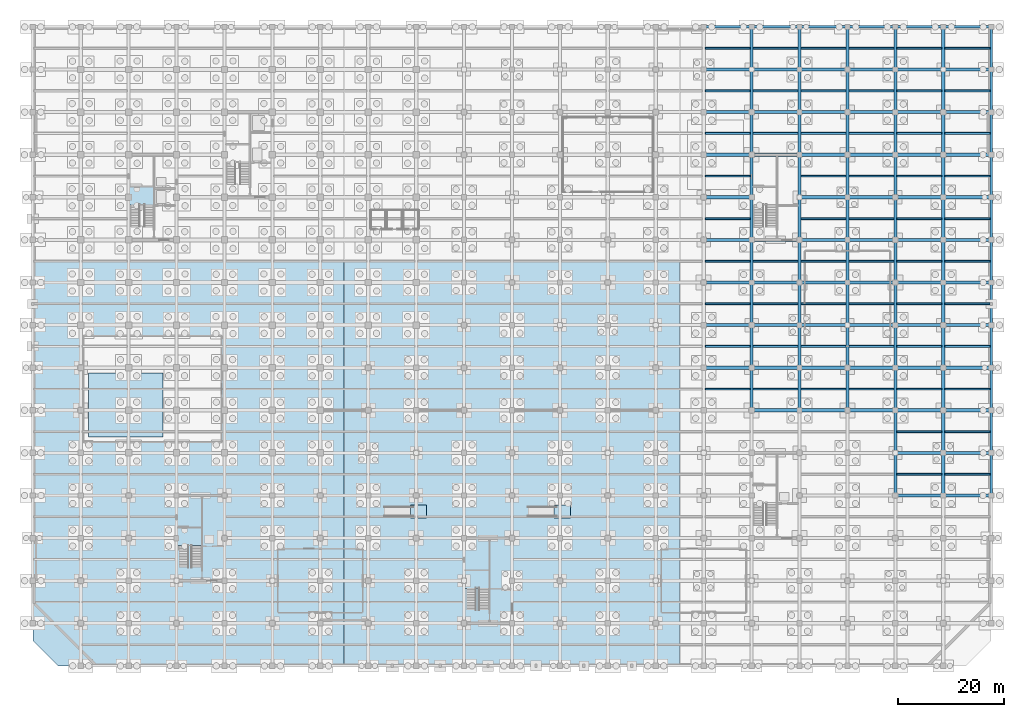
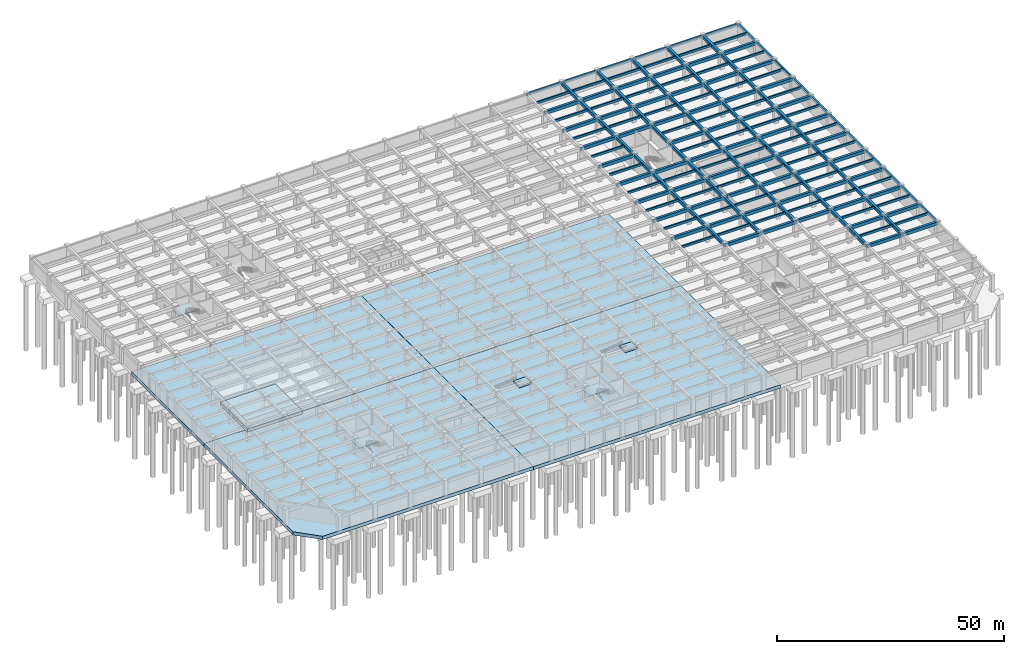
# One storey, part 15 of 31: 178 beams, 10 slabs, 5 elements without a shape of their own.
"""IFC4 building model written with IfcOpenShell, lengths in metres."""

from ifc_helpers import new_model, si_unit, direction, frame, origin, origin_2d, place, context, subcontext, project, spatial, polyline, rectangle, outline, extrude, material, layer, layer_set, material_profile, profile_set, type_object, element, aggregate, save


model = new_model("IFC4")

# Units and contexts
model_context = context("Model", 3, precision=1e-05, world=origin(), true_north=direction((0.0, 1.0)))
body_context = subcontext(model_context, "Body", "Model", "MODEL_VIEW")
ifc_project = project(units=[si_unit("LENGTHUNIT", "METRE"), si_unit("AREAUNIT", "SQUARE_METRE"), si_unit("VOLUMEUNIT", "CUBIC_METRE"), si_unit("PLANEANGLEUNIT", "RADIAN"), si_unit("MASSUNIT", "GRAM", prefix="KILO")], contexts=[model_context])

# Site, building, storey
site_placement = place(None, origin())
site = spatial("IfcSite", under=ifc_project, at=site_placement, CompositionType="ELEMENT")
building_placement = place(site_placement, origin())
building = spatial("IfcBuilding", under=site, at=building_placement, Name="Zaverband Oceanarium and Marine Research Institute", CompositionType="ELEMENT")
storey_placement = place(building_placement, frame((0.0, 0.0, -9.0)))
storey = spatial("IfcBuildingStorey", under=building, at=storey_placement, Name="B2", CompositionType="ELEMENT", Elevation=-9.0)

# Beams
ifc_material_1 = material(Name="Concrete C40/50", Category="concrete")
ifc_material_profile_1 = material_profile(ifc_material_1, rectangle(XDim=0.60009765625, YDim=0.85009765625, at=origin_2d()), Name="RC600x850")
ifc_profile_set_1 = profile_set([ifc_material_profile_1], Name="Concrete C40/50")
beam_type_1 = type_object("IfcBeamType", Name="BM-600x850", PredefinedType="BEAM", material=ifc_profile_set_1)
for number, where, z_axis, x_axis, name in (
    (1, (162.0, 32.0, 3.77490234375), (1.0, 0.0, 0.0), (0.0, 1.0, 0.0), "Primary floor girder BM-600x850"),
    (2, (171.0, 32.0, 3.77490234375), (1.0, 0.0, 0.0), (0.0, 1.0, 0.0), "Primary floor girder BM-600x850"),
    (3, (162.0, 40.0, 3.77490234375), (1.0, 0.0, 0.0), (0.0, 1.0, 0.0), "Primary floor girder BM-600x850"),
    (4, (171.0, 40.0, 3.77490234375), (1.0, 0.0, 0.0), (0.0, 1.0, 0.0), "Primary floor girder BM-600x850"),
    (5, (135.0, 48.0, 3.77490234375), (1.0, 0.0, 0.0), (0.0, 1.0, 0.0), "Primary floor girder BM-600x850"),
    (6, (144.0, 48.0, 3.77490234375), (1.0, 0.0, 0.0), (0.0, 1.0, 0.0), "Primary floor girder BM-600x850"),
    (7, (153.0, 48.0, 3.77490234375), (1.0, 0.0, 0.0), (0.0, 1.0, 0.0), "Primary floor girder BM-600x850"),
    (8, (162.0, 48.0, 3.77490234375), (1.0, 0.0, 0.0), (0.0, 1.0, 0.0), "Primary floor girder BM-600x850"),
    (9, (171.0, 48.0, 3.77490234375), (1.0, 0.0, 0.0), (0.0, 1.0, 0.0), "Primary floor girder BM-600x850"),
    (10, (126.0, 56.0, 3.77490234375), (1.0, 0.0, 0.0), (0.0, 1.0, 0.0), "Primary floor girder BM-600x850"),
    (11, (135.0, 56.0, 3.77490234375), (1.0, 0.0, 0.0), (0.0, 1.0, 0.0), "Primary floor girder BM-600x850"),
    (12, (144.0, 56.0, 3.77490234375), (1.0, 0.0, 0.0), (0.0, 1.0, 0.0), "Primary floor girder BM-600x850"),
    (13, (153.0, 56.0, 3.77490234375), (1.0, 0.0, 0.0), (0.0, 1.0, 0.0), "Primary floor girder BM-600x850"),
    (14, (162.0, 56.0, 3.77490234375), (1.0, 0.0, 0.0), (0.0, 1.0, 0.0), "Primary floor girder BM-600x850"),
    (15, (171.0, 56.0, 3.77490234375), (1.0, 0.0, 0.0), (0.0, 1.0, 0.0), "Primary floor girder BM-600x850"),
    (16, (126.0, 64.0, 3.77490234375), (1.0, 0.0, 0.0), (0.0, 1.0, 0.0), "Primary floor girder BM-600x850"),
    (17, (135.0, 64.0, 3.77490234375), (1.0, 0.0, 0.0), (0.0, 1.0, 0.0), "Primary floor girder BM-600x850"),
    (18, (144.0, 64.0, 3.77490234375), (1.0, 0.0, 0.0), (0.0, 1.0, 0.0), "Primary floor girder BM-600x850"),
    (19, (153.0, 64.0, 3.77490234375), (1.0, 0.0, 0.0), (0.0, 1.0, 0.0), "Primary floor girder BM-600x850"),
    (20, (162.0, 64.0, 3.77490234375), (1.0, 0.0, 0.0), (0.0, 1.0, 0.0), "Primary floor girder BM-600x850"),
    (21, (171.0, 64.0, 3.77490234375), (1.0, 0.0, 0.0), (0.0, 1.0, 0.0), "Primary floor girder BM-600x850"),
    (22, (126.0, 72.0, 3.77490234375), (1.0, 0.0, 0.0), (0.0, 1.0, 0.0), "Primary floor girder BM-600x850"),
    (23, (135.0, 72.0, 3.77490234375), (1.0, 0.0, 0.0), (0.0, 1.0, 0.0), "Primary floor girder BM-600x850"),
    (24, (144.0, 72.0, 3.77490234375), (1.0, 0.0, 0.0), (0.0, 1.0, 0.0), "Primary floor girder BM-600x850"),
    (25, (153.0, 72.0, 3.77490234375), (1.0, 0.0, 0.0), (0.0, 1.0, 0.0), "Primary floor girder BM-600x850"),
    (26, (162.0, 72.0, 3.77490234375), (1.0, 0.0, 0.0), (0.0, 1.0, 0.0), "Primary floor girder BM-600x850"),
    (27, (171.0, 72.0, 3.77490234375), (1.0, 0.0, 0.0), (0.0, 1.0, 0.0), "Primary floor girder BM-600x850"),
    (28, (126.0, 80.0, 3.77490234375), (1.0, 0.0, 0.0), (0.0, 1.0, 0.0), "Primary floor girder BM-600x850"),
    (29, (135.0, 80.0, 3.77490234375), (1.0, 0.0, 0.0), (0.0, 1.0, 0.0), "Primary floor girder BM-600x850"),
    (30, (144.0, 80.0, 3.77490234375), (1.0, 0.0, 0.0), (0.0, 1.0, 0.0), "Primary floor girder BM-600x850"),
    (31, (153.0, 80.0, 3.77490234375), (1.0, 0.0, 0.0), (0.0, 1.0, 0.0), "Primary floor girder BM-600x850"),
    (32, (162.0, 80.0, 3.77490234375), (1.0, 0.0, 0.0), (0.0, 1.0, 0.0), "Primary floor girder BM-600x850"),
    (33, (171.0, 80.0, 3.77490234375), (1.0, 0.0, 0.0), (0.0, 1.0, 0.0), "Primary floor girder BM-600x850"),
    (34, (126.0, 88.0, 3.77490234375), (1.0, 0.0, 0.0), (0.0, 1.0, 0.0), "Primary floor girder BM-600x850"),
    (35, (144.0, 88.0, 3.77490234375), (1.0, 0.0, 0.0), (0.0, 1.0, 0.0), "Primary floor girder BM-600x850"),
    (36, (153.0, 88.0, 3.77490234375), (1.0, 0.0, 0.0), (0.0, 1.0, 0.0), "Primary floor girder BM-600x850"),
    (37, (162.0, 88.0, 3.77490234375), (1.0, 0.0, 0.0), (0.0, 1.0, 0.0), "Primary floor girder BM-600x850"),
    (38, (171.0, 88.0, 3.77490234375), (1.0, 0.0, 0.0), (0.0, 1.0, 0.0), "Primary floor girder BM-600x850"),
    (39, (126.0, 96.0, 3.77490234375), (1.0, 0.0, 0.0), (0.0, 1.0, 0.0), "Primary floor girder BM-600x850"),
    (40, (135.0, 96.0, 3.77490234375), (1.0, 0.0, 0.0), (0.0, 1.0, 0.0), "Primary floor girder BM-600x850"),
    (41, (144.0, 96.0, 3.77490234375), (1.0, 0.0, 0.0), (0.0, 1.0, 0.0), "Primary floor girder BM-600x850"),
    (42, (153.0, 96.0, 3.77490234375), (1.0, 0.0, 0.0), (0.0, 1.0, 0.0), "Primary floor girder BM-600x850"),
    (43, (162.0, 96.0, 3.77490234375), (1.0, 0.0, 0.0), (0.0, 1.0, 0.0), "Primary floor girder BM-600x850"),
    (44, (171.0, 96.0, 3.77490234375), (1.0, 0.0, 0.0), (0.0, 1.0, 0.0), "Primary floor girder BM-600x850"),
    (45, (126.0, 104.0, 3.77490234375), (1.0, 0.0, 0.0), (0.0, 1.0, 0.0), "Primary floor girder BM-600x850"),
    (46, (135.0, 104.0, 3.77490234375), (1.0, 0.0, 0.0), (0.0, 1.0, 0.0), "Primary floor girder BM-600x850"),
    (47, (144.0, 104.0, 3.77490234375), (1.0, 0.0, 0.0), (0.0, 1.0, 0.0), "Primary floor girder BM-600x850"),
    (48, (153.0, 104.0, 3.77490234375), (1.0, 0.0, 0.0), (0.0, 1.0, 0.0), "Primary floor girder BM-600x850"),
    (49, (162.0, 104.0, 3.77490234375), (1.0, 0.0, 0.0), (0.0, 1.0, 0.0), "Primary floor girder BM-600x850"),
    (50, (171.0, 104.0, 3.77490234375), (1.0, 0.0, 0.0), (0.0, 1.0, 0.0), "Primary floor girder BM-600x850"),
    (51, (126.0, 112.0, 3.77490234375), (1.0, 0.0, 0.0), (0.0, 1.0, 0.0), "Primary floor girder BM-600x850"),
    (52, (135.0, 112.0, 3.77490234375), (1.0, 0.0, 0.0), (0.0, 1.0, 0.0), "Primary floor girder BM-600x850"),
    (53, (144.0, 112.0, 3.77490234375), (1.0, 0.0, 0.0), (0.0, 1.0, 0.0), "Primary floor girder BM-600x850"),
    (54, (153.0, 112.0, 3.77490234375), (1.0, 0.0, 0.0), (0.0, 1.0, 0.0), "Primary floor girder BM-600x850"),
    (55, (162.0, 112.0, 3.77490234375), (1.0, 0.0, 0.0), (0.0, 1.0, 0.0), "Primary floor girder BM-600x850"),
    (56, (171.0, 112.0, 3.77490234375), (1.0, 0.0, 0.0), (0.0, 1.0, 0.0), "Primary floor girder BM-600x850"),
):
    element("IfcBeam", number, at=place(storey_placement, frame(where, z_axis=z_axis, x_axis=x_axis)), inside=storey, type_object=beam_type_1, Name=name, PredefinedType="BEAM", context=body_context, shape_type="SweptSolid", body=[
        extrude(rectangle(XDim=0.60009765625, YDim=0.85009765625, at=origin_2d()), origin(), (0.0, 0.0, 1.0), 9.0),
    ])
for number, where, z_axis, x_axis, name in (
    (57, (135.0, 48.0, 3.77490234375), (0.0, 1.0, 0.0), (-1.0, 0.0, 0.0), "Primary floor girder BM-600x850"),
    (58, (135.0, 56.0, 3.77490234375), (0.0, 1.0, 0.0), (-1.0, 0.0, 0.0), "Primary floor girder BM-600x850"),
    (59, (135.0, 64.0, 3.77490234375), (0.0, 1.0, 0.0), (-1.0, 0.0, 0.0), "Primary floor girder BM-600x850"),
    (60, (135.0, 72.0, 3.77490234375), (0.0, 1.0, 0.0), (-1.0, 0.0, 0.0), "Primary floor girder BM-600x850"),
    (61, (135.0, 80.0, 3.77490234375), (0.0, 1.0, 0.0), (-1.0, 0.0, 0.0), "Primary floor girder BM-600x850"),
    (62, (135.0, 88.0, 3.77490234375), (0.0, 1.0, 0.0), (-1.0, 0.0, 0.0), "Primary floor girder BM-600x850"),
    (63, (135.0, 96.0, 3.77490234375), (0.0, 1.0, 0.0), (-1.0, 0.0, 0.0), "Primary floor girder BM-600x850"),
    (64, (135.0, 104.0, 3.77490234375), (0.0, 1.0, 0.0), (-1.0, 0.0, 0.0), "Primary floor girder BM-600x850"),
    (65, (135.0, 112.0, 3.77490234375), (0.0, 1.0, 0.0), (-1.0, 0.0, 0.0), "Primary floor girder BM-600x850"),
    (66, (144.0, 48.0, 3.77490234375), (0.0, 1.0, 0.0), (-1.0, 0.0, 0.0), "Primary floor girder BM-600x850"),
    (67, (144.0, 56.0, 3.77490234375), (0.0, 1.0, 0.0), (-1.0, 0.0, 0.0), "Primary floor girder BM-600x850"),
    (68, (144.0, 64.0, 3.77490234375), (0.0, 1.0, 0.0), (-1.0, 0.0, 0.0), "Primary floor girder BM-600x850"),
    (69, (144.0, 72.0, 3.77490234375), (0.0, 1.0, 0.0), (-1.0, 0.0, 0.0), "Primary floor girder BM-600x850"),
    (70, (144.0, 80.0, 3.77490234375), (0.0, 1.0, 0.0), (-1.0, 0.0, 0.0), "Primary floor girder BM-600x850"),
    (71, (144.0, 88.0, 3.77490234375), (0.0, 1.0, 0.0), (-1.0, 0.0, 0.0), "Primary floor girder BM-600x850"),
    (72, (144.0, 96.0, 3.77490234375), (0.0, 1.0, 0.0), (-1.0, 0.0, 0.0), "Primary floor girder BM-600x850"),
    (73, (144.0, 104.0, 3.77490234375), (0.0, 1.0, 0.0), (-1.0, 0.0, 0.0), "Primary floor girder BM-600x850"),
    (74, (144.0, 112.0, 3.77490234375), (0.0, 1.0, 0.0), (-1.0, 0.0, 0.0), "Primary floor girder BM-600x850"),
    (75, (153.0, 48.0, 3.77490234375), (0.0, 1.0, 0.0), (-1.0, 0.0, 0.0), "Primary floor girder BM-600x850"),
    (76, (153.0, 56.0, 3.77490234375), (0.0, 1.0, 0.0), (-1.0, 0.0, 0.0), "Primary floor girder BM-600x850"),
    (77, (153.0, 64.0, 3.77490234375), (0.0, 1.0, 0.0), (-1.0, 0.0, 0.0), "Primary floor girder BM-600x850"),
    (78, (153.0, 72.0, 3.77490234375), (0.0, 1.0, 0.0), (-1.0, 0.0, 0.0), "Primary floor girder BM-600x850"),
    (79, (153.0, 80.0, 3.77490234375), (0.0, 1.0, 0.0), (-1.0, 0.0, 0.0), "Primary floor girder BM-600x850"),
    (80, (153.0, 88.0, 3.77490234375), (0.0, 1.0, 0.0), (-1.0, 0.0, 0.0), "Primary floor girder BM-600x850"),
    (81, (153.0, 96.0, 3.77490234375), (0.0, 1.0, 0.0), (-1.0, 0.0, 0.0), "Primary floor girder BM-600x850"),
    (82, (153.0, 104.0, 3.77490234375), (0.0, 1.0, 0.0), (-1.0, 0.0, 0.0), "Primary floor girder BM-600x850"),
    (83, (153.0, 112.0, 3.77490234375), (0.0, 1.0, 0.0), (-1.0, 0.0, 0.0), "Primary floor girder BM-600x850"),
    (84, (162.0, 32.0, 3.77490234375), (0.0, 1.0, 0.0), (-1.0, 0.0, 0.0), "Primary floor girder BM-600x850"),
    (85, (162.0, 40.0, 3.77490234375), (0.0, 1.0, 0.0), (-1.0, 0.0, 0.0), "Primary floor girder BM-600x850"),
    (86, (162.0, 48.0, 3.77490234375), (0.0, 1.0, 0.0), (-1.0, 0.0, 0.0), "Primary floor girder BM-600x850"),
    (87, (162.0, 56.0, 3.77490234375), (0.0, 1.0, 0.0), (-1.0, 0.0, 0.0), "Primary floor girder BM-600x850"),
    (88, (162.0, 64.0, 3.77490234375), (0.0, 1.0, 0.0), (-1.0, 0.0, 0.0), "Primary floor girder BM-600x850"),
    (89, (162.0, 72.0, 3.77490234375), (0.0, 1.0, 0.0), (-1.0, 0.0, 0.0), "Primary floor girder BM-600x850"),
    (90, (162.0, 80.0, 3.77490234375), (0.0, 1.0, 0.0), (-1.0, 0.0, 0.0), "Primary floor girder BM-600x850"),
    (91, (162.0, 88.0, 3.77490234375), (0.0, 1.0, 0.0), (-1.0, 0.0, 0.0), "Primary floor girder BM-600x850"),
    (92, (162.0, 96.0, 3.77490234375), (0.0, 1.0, 0.0), (-1.0, 0.0, 0.0), "Primary floor girder BM-600x850"),
    (93, (162.0, 104.0, 3.77490234375), (0.0, 1.0, 0.0), (-1.0, 0.0, 0.0), "Primary floor girder BM-600x850"),
    (94, (162.0, 112.0, 3.77490234375), (0.0, 1.0, 0.0), (-1.0, 0.0, 0.0), "Primary floor girder BM-600x850"),
    (95, (171.0, 32.0, 3.77490234375), (0.0, 1.0, 0.0), (-1.0, 0.0, 0.0), "Primary floor girder BM-600x850"),
    (96, (171.0, 40.0, 3.77490234375), (0.0, 1.0, 0.0), (-1.0, 0.0, 0.0), "Primary floor girder BM-600x850"),
    (97, (171.0, 48.0, 3.77490234375), (0.0, 1.0, 0.0), (-1.0, 0.0, 0.0), "Primary floor girder BM-600x850"),
    (98, (171.0, 56.0, 3.77490234375), (0.0, 1.0, 0.0), (-1.0, 0.0, 0.0), "Primary floor girder BM-600x850"),
    (99, (171.0, 64.0, 3.77490234375), (0.0, 1.0, 0.0), (-1.0, 0.0, 0.0), "Primary floor girder BM-600x850"),
    (100, (171.0, 72.0, 3.77490234375), (0.0, 1.0, 0.0), (-1.0, 0.0, 0.0), "Primary floor girder BM-600x850"),
    (101, (171.0, 80.0, 3.77490234375), (0.0, 1.0, 0.0), (-1.0, 0.0, 0.0), "Primary floor girder BM-600x850"),
    (102, (171.0, 88.0, 3.77490234375), (0.0, 1.0, 0.0), (-1.0, 0.0, 0.0), "Primary floor girder BM-600x850"),
    (103, (171.0, 96.0, 3.77490234375), (0.0, 1.0, 0.0), (-1.0, 0.0, 0.0), "Primary floor girder BM-600x850"),
    (104, (171.0, 104.0, 3.77490234375), (0.0, 1.0, 0.0), (-1.0, 0.0, 0.0), "Primary floor girder BM-600x850"),
    (105, (171.0, 112.0, 3.77490234375), (0.0, 1.0, 0.0), (-1.0, 0.0, 0.0), "Primary floor girder BM-600x850"),
):
    element("IfcBeam", number, at=place(storey_placement, frame(where, z_axis=z_axis, x_axis=x_axis)), inside=storey, type_object=beam_type_1, Name=name, PredefinedType="BEAM", context=body_context, shape_type="SweptSolid", body=[
        extrude(rectangle(XDim=0.60009765625, YDim=0.85009765625, at=origin_2d()), origin(), (0.0, 0.0, 1.0), 8.0),
    ])
ifc_material_profile_2 = material_profile(ifc_material_1, rectangle(XDim=0.35009765625, YDim=0.60009765625, at=origin_2d()), Name="RC350x600")
ifc_profile_set_2 = profile_set([ifc_material_profile_2], Name="Concrete C40/50")
beam_type_2 = type_object("IfcBeamType", Name="JST-350x600", PredefinedType="JOIST", material=ifc_profile_set_2)
for number, where, z_axis, x_axis, name in (
    (106, (126.300048828125, 52.0, 3.89990234375), (1.0, 0.0, 0.0), (0.0, 1.0, 0.0), "Secondary floor joist JST-350x600"),
    (107, (126.300048828125, 60.0, 3.89990234375), (1.0, 0.0, 0.0), (0.0, 1.0, 0.0), "Secondary floor joist JST-350x600"),
    (108, (126.300048828125, 68.0, 3.89990234375), (1.0, 0.0, 0.0), (0.0, 1.0, 0.0), "Secondary floor joist JST-350x600"),
    (109, (126.300048828125, 76.0, 3.89990234375), (1.0, 0.0, 0.0), (0.0, 1.0, 0.0), "Secondary floor joist JST-350x600"),
    (110, (126.300048828125, 84.0, 3.89990234375), (1.0, 0.0, 0.0), (0.0, 1.0, 0.0), "Secondary floor joist JST-350x600"),
    (111, (126.300048828125, 92.0, 3.89990234375), (1.0, 0.0, 0.0), (0.0, 1.0, 0.0), "Secondary floor joist JST-350x600"),
    (112, (126.300048828125, 100.0, 3.89990234375), (1.0, 0.0, 0.0), (0.0, 1.0, 0.0), "Secondary floor joist JST-350x600"),
    (113, (126.300048828125, 108.0, 3.89990234375), (1.0, 0.0, 0.0), (0.0, 1.0, 0.0), "Secondary floor joist JST-350x600"),
    (114, (126.300048828125, 116.0, 3.89990234375), (1.0, 0.0, 0.0), (0.0, 1.0, 0.0), "Secondary floor joist JST-350x600"),
    (115, (135.300048828125, 52.0, 3.89990234375), (1.0, 0.0, 0.0), (0.0, 1.0, 0.0), "Secondary floor joist JST-350x600"),
    (116, (135.300048828125, 60.0, 3.89990234375), (1.0, 0.0, 0.0), (0.0, 1.0, 0.0), "Secondary floor joist JST-350x600"),
    (117, (135.300048828125, 68.0, 3.89990234375), (1.0, 0.0, 0.0), (0.0, 1.0, 0.0), "Secondary floor joist JST-350x600"),
    (118, (135.300048828125, 76.0, 3.89990234375), (1.0, 0.0, 0.0), (0.0, 1.0, 0.0), "Secondary floor joist JST-350x600"),
    (119, (135.300048828125, 100.0, 3.89990234375), (1.0, 0.0, 0.0), (0.0, 1.0, 0.0), "Secondary floor joist JST-350x600"),
    (120, (135.300048828125, 108.0, 3.89990234375), (1.0, 0.0, 0.0), (0.0, 1.0, 0.0), "Secondary floor joist JST-350x600"),
    (121, (135.300048828125, 116.0, 3.89990234375), (1.0, 0.0, 0.0), (0.0, 1.0, 0.0), "Secondary floor joist JST-350x600"),
    (122, (144.300048828125, 52.0, 3.89990234375), (1.0, 0.0, 0.0), (0.0, 1.0, 0.0), "Secondary floor joist JST-350x600"),
    (123, (144.300048828125, 60.0, 3.89990234375), (1.0, 0.0, 0.0), (0.0, 1.0, 0.0), "Secondary floor joist JST-350x600"),
    (124, (144.300048828125, 68.0, 3.89990234375), (1.0, 0.0, 0.0), (0.0, 1.0, 0.0), "Secondary floor joist JST-350x600"),
    (125, (144.300048828125, 76.0, 3.89990234375), (1.0, 0.0, 0.0), (0.0, 1.0, 0.0), "Secondary floor joist JST-350x600"),
    (126, (144.300048828125, 84.0, 3.89990234375), (1.0, 0.0, 0.0), (0.0, 1.0, 0.0), "Secondary floor joist JST-350x600"),
    (127, (144.300048828125, 92.0, 3.89990234375), (1.0, 0.0, 0.0), (0.0, 1.0, 0.0), "Secondary floor joist JST-350x600"),
    (128, (144.300048828125, 100.0, 3.89990234375), (1.0, 0.0, 0.0), (0.0, 1.0, 0.0), "Secondary floor joist JST-350x600"),
    (129, (144.300048828125, 108.0, 3.89990234375), (1.0, 0.0, 0.0), (0.0, 1.0, 0.0), "Secondary floor joist JST-350x600"),
    (130, (144.300048828125, 116.0, 3.89990234375), (1.0, 0.0, 0.0), (0.0, 1.0, 0.0), "Secondary floor joist JST-350x600"),
    (131, (153.300048828125, 52.0, 3.89990234375), (1.0, 0.0, 0.0), (0.0, 1.0, 0.0), "Secondary floor joist JST-350x600"),
    (132, (153.300048828125, 60.0, 3.89990234375), (1.0, 0.0, 0.0), (0.0, 1.0, 0.0), "Secondary floor joist JST-350x600"),
    (133, (153.300048828125, 68.0, 3.89990234375), (1.0, 0.0, 0.0), (0.0, 1.0, 0.0), "Secondary floor joist JST-350x600"),
    (134, (153.300048828125, 76.0, 3.89990234375), (1.0, 0.0, 0.0), (0.0, 1.0, 0.0), "Secondary floor joist JST-350x600"),
    (135, (153.300048828125, 84.0, 3.89990234375), (1.0, 0.0, 0.0), (0.0, 1.0, 0.0), "Secondary floor joist JST-350x600"),
    (136, (153.300048828125, 92.0, 3.89990234375), (1.0, 0.0, 0.0), (0.0, 1.0, 0.0), "Secondary floor joist JST-350x600"),
    (137, (153.300048828125, 100.0, 3.89990234375), (1.0, 0.0, 0.0), (0.0, 1.0, 0.0), "Secondary floor joist JST-350x600"),
    (138, (153.300048828125, 108.0, 3.89990234375), (1.0, 0.0, 0.0), (0.0, 1.0, 0.0), "Secondary floor joist JST-350x600"),
    (139, (153.300048828125, 116.0, 3.89990234375), (1.0, 0.0, 0.0), (0.0, 1.0, 0.0), "Secondary floor joist JST-350x600"),
    (140, (162.300048828125, 36.0, 3.89990234375), (1.0, 0.0, 0.0), (0.0, 1.0, 0.0), "Secondary floor joist JST-350x600"),
    (141, (162.300048828125, 44.0, 3.89990234375), (1.0, 0.0, 0.0), (0.0, 1.0, 0.0), "Secondary floor joist JST-350x600"),
    (142, (162.300048828125, 52.0, 3.89990234375), (1.0, 0.0, 0.0), (0.0, 1.0, 0.0), "Secondary floor joist JST-350x600"),
    (143, (162.300048828125, 60.0, 3.89990234375), (1.0, 0.0, 0.0), (0.0, 1.0, 0.0), "Secondary floor joist JST-350x600"),
    (144, (162.300048828125, 68.0, 3.89990234375), (1.0, 0.0, 0.0), (0.0, 1.0, 0.0), "Secondary floor joist JST-350x600"),
    (145, (162.300048828125, 76.0, 3.89990234375), (1.0, 0.0, 0.0), (0.0, 1.0, 0.0), "Secondary floor joist JST-350x600"),
    (146, (162.300048828125, 84.0, 3.89990234375), (1.0, 0.0, 0.0), (0.0, 1.0, 0.0), "Secondary floor joist JST-350x600"),
    (147, (162.300048828125, 92.0, 3.89990234375), (1.0, 0.0, 0.0), (0.0, 1.0, 0.0), "Secondary floor joist JST-350x600"),
    (148, (162.300048828125, 100.0, 3.89990234375), (1.0, 0.0, 0.0), (0.0, 1.0, 0.0), "Secondary floor joist JST-350x600"),
    (149, (162.300048828125, 108.0, 3.89990234375), (1.0, 0.0, 0.0), (0.0, 1.0, 0.0), "Secondary floor joist JST-350x600"),
    (150, (162.300048828125, 116.0, 3.89990234375), (1.0, 0.0, 0.0), (0.0, 1.0, 0.0), "Secondary floor joist JST-350x600"),
):
    element("IfcBeam", number, at=place(storey_placement, frame(where, z_axis=z_axis, x_axis=x_axis)), inside=storey, type_object=beam_type_2, Name=name, PredefinedType="JOIST", context=body_context, shape_type="SweptSolid", body=[
        extrude(rectangle(XDim=0.35009765625, YDim=0.60009765625, at=origin_2d()), origin(), (0.0, 0.0, 1.0), 8.39990234375),
    ])
for number, where, z_axis, x_axis, name in (
    (151, (171.300048828125, 36.0, 3.89990234375), (1.0, 0.0, 0.0), (0.0, 1.0, 0.0), "Secondary floor joist JST-350x600"),
    (152, (171.300048828125, 44.0, 3.89990234375), (1.0, 0.0, 0.0), (0.0, 1.0, 0.0), "Secondary floor joist JST-350x600"),
    (153, (171.300048828125, 52.0, 3.89990234375), (1.0, 0.0, 0.0), (0.0, 1.0, 0.0), "Secondary floor joist JST-350x600"),
    (154, (171.300048828125, 60.0, 3.89990234375), (1.0, 0.0, 0.0), (0.0, 1.0, 0.0), "Secondary floor joist JST-350x600"),
    (155, (171.300048828125, 68.0, 3.89990234375), (1.0, 0.0, 0.0), (0.0, 1.0, 0.0), "Secondary floor joist JST-350x600"),
    (156, (171.300048828125, 76.0, 3.89990234375), (1.0, 0.0, 0.0), (0.0, 1.0, 0.0), "Secondary floor joist JST-350x600"),
    (157, (171.300048828125, 84.0, 3.89990234375), (1.0, 0.0, 0.0), (0.0, 1.0, 0.0), "Secondary floor joist JST-350x600"),
    (158, (171.300048828125, 92.0, 3.89990234375), (1.0, 0.0, 0.0), (0.0, 1.0, 0.0), "Secondary floor joist JST-350x600"),
    (159, (171.300048828125, 100.0, 3.89990234375), (1.0, 0.0, 0.0), (0.0, 1.0, 0.0), "Secondary floor joist JST-350x600"),
    (160, (171.300048828125, 108.0, 3.89990234375), (1.0, 0.0, 0.0), (0.0, 1.0, 0.0), "Secondary floor joist JST-350x600"),
    (161, (171.300048828125, 116.0, 3.89990234375), (1.0, 0.0, 0.0), (0.0, 1.0, 0.0), "Secondary floor joist JST-350x600"),
):
    element("IfcBeam", number, at=place(storey_placement, frame(where, z_axis=z_axis, x_axis=x_axis)), inside=storey, type_object=beam_type_2, Name=name, PredefinedType="JOIST", context=body_context, shape_type="SweptSolid", body=[
        extrude(rectangle(XDim=0.35009765625, YDim=0.60009765625, at=origin_2d()), origin(), (0.0, 0.0, 1.0), 8.474853515625),
    ])
ifc_material_profile_3 = material_profile(ifc_material_1, rectangle(XDim=0.449951171875, YDim=0.699951171875, at=origin_2d()), Name="RC450x700")
ifc_profile_set_3 = profile_set([ifc_material_profile_3], Name="Concrete C40/50")
beam_type_3 = type_object("IfcBeamType", Name="SPN-450x700", PredefinedType="SPANDREL", material=ifc_profile_set_3)
for number, where, z_axis, x_axis, name in (
    (162, (126.0, 120.0, 3.85009765625), (1.0, 0.0, 0.0), (0.0, 1.0, 0.0), "Perimeter spandrel beam SPN-450x700"),
    (163, (135.0, 120.0, 3.85009765625), (1.0, 0.0, 0.0), (0.0, 1.0, 0.0), "Perimeter spandrel beam SPN-450x700"),
    (164, (144.0, 120.0, 3.85009765625), (1.0, 0.0, 0.0), (0.0, 1.0, 0.0), "Perimeter spandrel beam SPN-450x700"),
    (165, (153.0, 120.0, 3.85009765625), (1.0, 0.0, 0.0), (0.0, 1.0, 0.0), "Perimeter spandrel beam SPN-450x700"),
    (166, (162.0, 120.0, 3.85009765625), (1.0, 0.0, 0.0), (0.0, 1.0, 0.0), "Perimeter spandrel beam SPN-450x700"),
    (167, (171.0, 120.0, 3.85009765625), (1.0, 0.0, 0.0), (0.0, 1.0, 0.0), "Perimeter spandrel beam SPN-450x700"),
):
    element("IfcBeam", number, at=place(storey_placement, frame(where, z_axis=z_axis, x_axis=x_axis)), inside=storey, type_object=beam_type_3, Name=name, PredefinedType="SPANDREL", context=body_context, shape_type="SweptSolid", body=[
        extrude(rectangle(XDim=0.449951171875, YDim=0.699951171875, at=origin_2d()), origin(), (0.0, 0.0, 1.0), 9.0),
    ])
for number, where, z_axis, x_axis, name in (
    (168, (180.0, 32.0, 3.85009765625), (0.0, 1.0, 0.0), (-1.0, 0.0, 0.0), "Perimeter spandrel beam SPN-450x700"),
    (169, (180.0, 40.0, 3.85009765625), (0.0, 1.0, 0.0), (-1.0, 0.0, 0.0), "Perimeter spandrel beam SPN-450x700"),
    (170, (180.0, 48.0, 3.85009765625), (0.0, 1.0, 0.0), (-1.0, 0.0, 0.0), "Perimeter spandrel beam SPN-450x700"),
    (171, (180.0, 56.0, 3.85009765625), (0.0, 1.0, 0.0), (-1.0, 0.0, 0.0), "Perimeter spandrel beam SPN-450x700"),
    (172, (180.0, 64.0, 3.85009765625), (0.0, 1.0, 0.0), (-1.0, 0.0, 0.0), "Perimeter spandrel beam SPN-450x700"),
    (173, (180.0, 72.0, 3.85009765625), (0.0, 1.0, 0.0), (-1.0, 0.0, 0.0), "Perimeter spandrel beam SPN-450x700"),
    (174, (180.0, 80.0, 3.85009765625), (0.0, 1.0, 0.0), (-1.0, 0.0, 0.0), "Perimeter spandrel beam SPN-450x700"),
    (175, (180.0, 88.0, 3.85009765625), (0.0, 1.0, 0.0), (-1.0, 0.0, 0.0), "Perimeter spandrel beam SPN-450x700"),
    (176, (180.0, 96.0, 3.85009765625), (0.0, 1.0, 0.0), (-1.0, 0.0, 0.0), "Perimeter spandrel beam SPN-450x700"),
    (177, (180.0, 104.0, 3.85009765625), (0.0, 1.0, 0.0), (-1.0, 0.0, 0.0), "Perimeter spandrel beam SPN-450x700"),
    (178, (180.0, 112.0, 3.85009765625), (0.0, 1.0, 0.0), (-1.0, 0.0, 0.0), "Perimeter spandrel beam SPN-450x700"),
):
    element("IfcBeam", number, at=place(storey_placement, frame(where, z_axis=z_axis, x_axis=x_axis)), inside=storey, type_object=beam_type_3, Name=name, PredefinedType="SPANDREL", context=body_context, shape_type="SweptSolid", body=[
        extrude(rectangle(XDim=0.449951171875, YDim=0.699951171875, at=origin_2d()), origin(), (0.0, 0.0, 1.0), 8.0),
    ])

# Stair, slab
stair_type_1 = type_object("IfcStairType", Name="STR-TWR-1650-4500", PredefinedType="HALF_TURN_STAIR", material=ifc_material_1)
stair_1_placement = place(storey_placement, origin())
stair_1 = element("IfcStair", 179, at=stair_1_placement, inside=storey, type_object=stair_type_1, Name="Exit Stair ST-01 (B2)", PredefinedType="HALF_TURN_STAIR")
ifc_layer_1 = layer(ifc_material_1, 0.199951171875, Name="Concrete C40/50")
ifc_layer_set_1 = layer_set([ifc_layer_1], Name="Concrete C40/50")
slab_type_1 = type_object("IfcSlabType", Name="SLB-LND-200", PredefinedType="LANDING", material=ifc_layer_set_1)
slab_1_placement = place(storey_placement, frame((0.0, 0.0, 2.050048828125)))
slab_1 = element("IfcSlab", 180, at=slab_1_placement, type_object=slab_type_1, Name="Stair / ramp landing slab SLB-LND-200", PredefinedType="LANDING", context=body_context, shape_type="SweptSolid", body=[
    extrude(outline(polyline([(18.139892578125, 86.570068359375), (22.735107421875, 86.570068359375), (22.735107421875, 89.93505859375), (18.139892578125, 89.93505859375), (18.139892578125, 86.570068359375)])), origin(), (0.0, 0.0, 1.0), 0.199951171875),
])
aggregate(stair_1, [slab_1])

stair_type_2 = type_object("IfcStairType", Name="STR-POD-1800-4500", PredefinedType="HALF_TURN_STAIR", material=ifc_material_1)
stair_2_placement = place(storey_placement, origin())
stair_2 = element("IfcStair", 181, at=stair_2_placement, inside=storey, type_object=stair_type_2, Name="Exit Stair ST-03 (B2)", PredefinedType="HALF_TURN_STAIR")
ifc_layer_2 = layer(ifc_material_1, 0.219970703125, Name="Concrete C40/50")
ifc_layer_set_2 = layer_set([ifc_layer_2], Name="Concrete C40/50")
slab_type_2 = type_object("IfcSlabType", Name="SLB-LND-220", PredefinedType="LANDING", material=ifc_layer_set_2)
slab_2_placement = place(storey_placement, frame((0.0, 0.0, 2.030029296875)))
slab_2 = element("IfcSlab", 182, at=slab_2_placement, type_object=slab_type_2, Name="Stair / ramp landing slab SLB-LND-220", PredefinedType="LANDING", context=body_context, shape_type="SweptSolid", body=[
    extrude(outline(polyline([(27.139892578125, 22.570068359375), (31.735107421875, 22.570068359375), (31.735107421875, 25.93505859375), (27.139892578125, 25.93505859375), (27.139892578125, 22.570068359375)])), origin(), (0.0, 0.0, 1.0), 0.219970703125),
])
aggregate(stair_2, [slab_2])

stair_3_placement = place(storey_placement, origin())
stair_3 = element("IfcStair", 183, at=stair_3_placement, inside=storey, type_object=stair_type_2, Name="Exit Stair ST-06 (B2)", PredefinedType="HALF_TURN_STAIR")
slab_3_placement = place(storey_placement, frame((0.0, 0.0, 2.030029296875)))
slab_3 = element("IfcSlab", 184, at=slab_3_placement, type_object=slab_type_2, Name="Stair / ramp landing slab SLB-LND-220", PredefinedType="LANDING", context=body_context, shape_type="SweptSolid", body=[
    extrude(outline(polyline([(81.139892578125, 14.570068359375), (85.735107421875, 14.570068359375), (85.735107421875, 17.93505859375), (81.139892578125, 17.93505859375), (81.139892578125, 14.570068359375)])), origin(), (0.0, 0.0, 1.0), 0.219970703125),
])
aggregate(stair_3, [slab_3])

# Ramp, slab
ifc_layer_3 = layer(ifc_material_1, 0.219970703125, Name="Concrete C40/50")
ifc_layer_set_3 = layer_set([ifc_layer_3], Name="Concrete C40/50")
ramp_type = type_object("IfcRampType", Name="RMP-PED-1800", PredefinedType="STRAIGHT_RUN_RAMP", material=ifc_layer_set_3)
ramp_1_placement = place(storey_placement, origin())
ramp_1 = element("IfcRamp", 185, at=ramp_1_placement, inside=storey, type_object=ramp_type, Name="Accessible Viewing Gallery Ramp PR-01", PredefinedType="STRAIGHT_RUN_RAMP")
ifc_layer_4 = layer(ifc_material_1, 0.449951171875, Name="Concrete C40/50")
ifc_layer_set_4 = layer_set([ifc_layer_4], Name="Concrete C40/50")
slab_type_3 = type_object("IfcSlabType", Name="SLB-LND-450", PredefinedType="LANDING", material=ifc_layer_set_4)
slab_4_placement = place(storey_placement, origin())
slab_4 = element("IfcSlab", 186, at=slab_4_placement, type_object=slab_type_3, Name="Stair / ramp landing slab SLB-LND-450", PredefinedType="LANDING", context=body_context, shape_type="SweptSolid", body=[
    extrude(outline(polyline([(70.89990234375, 27.75), (73.949951171875, 27.75), (73.949951171875, 30.25), (70.89990234375, 30.25), (70.89990234375, 27.75)])), origin(), (0.0, 0.0, 1.0), 0.449951171875),
])
aggregate(ramp_1, [slab_4])

ramp_2_placement = place(storey_placement, origin())
ramp_2 = element("IfcRamp", 187, at=ramp_2_placement, inside=storey, type_object=ramp_type, Name="Accessible Viewing Gallery Ramp PR-02", PredefinedType="STRAIGHT_RUN_RAMP")
slab_5_placement = place(storey_placement, origin())
slab_5 = element("IfcSlab", 188, at=slab_5_placement, type_object=slab_type_3, Name="Stair / ramp landing slab SLB-LND-450", PredefinedType="LANDING", context=body_context, shape_type="SweptSolid", body=[
    extrude(outline(polyline([(97.89990234375, 27.75), (100.949951171875, 27.75), (100.949951171875, 30.25), (97.89990234375, 30.25), (97.89990234375, 27.75)])), origin(), (0.0, 0.0, 1.0), 0.449951171875),
])
aggregate(ramp_2, [slab_5])

# Slabs
ifc_material_2 = material(Name="Concrete C50/60", Category="concrete")
ifc_layer_5 = layer(ifc_material_2, 0.85009765625, Name="Concrete C50/60")
ifc_layer_set_5 = layer_set([ifc_layer_5], Name="Concrete C50/60")
slab_type_4 = type_object("IfcSlabType", Name="SLB-MAT-850", PredefinedType="BASESLAB", material=ifc_layer_set_5)
slab_6_placement = place(storey_placement, origin())
element("IfcSlab", 189, at=slab_6_placement, inside=storey, type_object=slab_type_4, Name="Basement foundation mat SLB-MAT-850", PredefinedType="BASESLAB", context=body_context, shape_type="SweptSolid", body=[
    extrude(outline(polyline([(10.5, 43.0), (24.5, 43.0), (24.5, 55.0), (10.5, 55.0), (10.5, 43.0)])), origin(), (0.0, 0.0, 1.0), 0.85009765625),
])
ifc_layer_6 = layer(ifc_material_2, 0.89990234375, Name="Concrete C50/60")
ifc_layer_set_6 = layer_set([ifc_layer_6], Name="Concrete C50/60")
slab_type_5 = type_object("IfcSlabType", Name="SLB-MAT-900", PredefinedType="BASESLAB", material=ifc_layer_set_6)
slab_7_placement = place(storey_placement, frame((0.0, 0.0, -0.89990234375)))
element("IfcSlab", 190, at=slab_7_placement, inside=storey, type_object=slab_type_5, Name="Basement foundation mat SLB-MAT-900", PredefinedType="BASESLAB", context=body_context, shape_type="SweptSolid", body=[
    extrude(outline(polyline([(4.800048828125, 0.0), (58.485107421875, 0.0), (58.485107421875, 43.985107421875), (0.0, 43.985107421875), (0.0, 4.800048828125), (4.800048828125, 0.0)])), origin(), (0.0, 0.0, 1.0), 0.89990234375),
])
slab_8_placement = place(storey_placement, frame((0.0, 0.0, -0.89990234375)))
element("IfcSlab", 191, at=slab_8_placement, inside=storey, type_object=slab_type_5, Name="Basement foundation mat SLB-MAT-900", PredefinedType="BASESLAB", context=body_context, shape_type="SweptSolid", body=[
    extrude(outline(polyline([(58.514892578125, 0.0), (121.485107421875, 0.0), (121.485107421875, 43.985107421875), (58.514892578125, 43.985107421875), (58.514892578125, 0.0)])), origin(), (0.0, 0.0, 1.0), 0.89990234375),
])
slab_9_placement = place(storey_placement, frame((0.0, 0.0, -0.89990234375)))
element("IfcSlab", 192, at=slab_9_placement, inside=storey, type_object=slab_type_5, Name="Basement foundation mat SLB-MAT-900", PredefinedType="BASESLAB", context=body_context, shape_type="SweptSolid", body=[
    extrude(outline(polyline([(0.0, 44.014892578125), (58.485107421875, 44.014892578125), (58.485107421875, 75.985107421875), (0.0, 75.985107421875), (0.0, 44.014892578125)])), origin(), (0.0, 0.0, 1.0), 0.89990234375),
])
slab_10_placement = place(storey_placement, frame((0.0, 0.0, -0.89990234375)))
element("IfcSlab", 193, at=slab_10_placement, inside=storey, type_object=slab_type_5, Name="Basement foundation mat SLB-MAT-900", PredefinedType="BASESLAB", context=body_context, shape_type="SweptSolid", body=[
    extrude(outline(polyline([(58.514892578125, 44.014892578125), (121.485107421875, 44.014892578125), (121.485107421875, 75.985107421875), (58.514892578125, 75.985107421875), (58.514892578125, 44.014892578125)])), origin(), (0.0, 0.0, 1.0), 0.89990234375),
])

save(model, "model.ifc")
